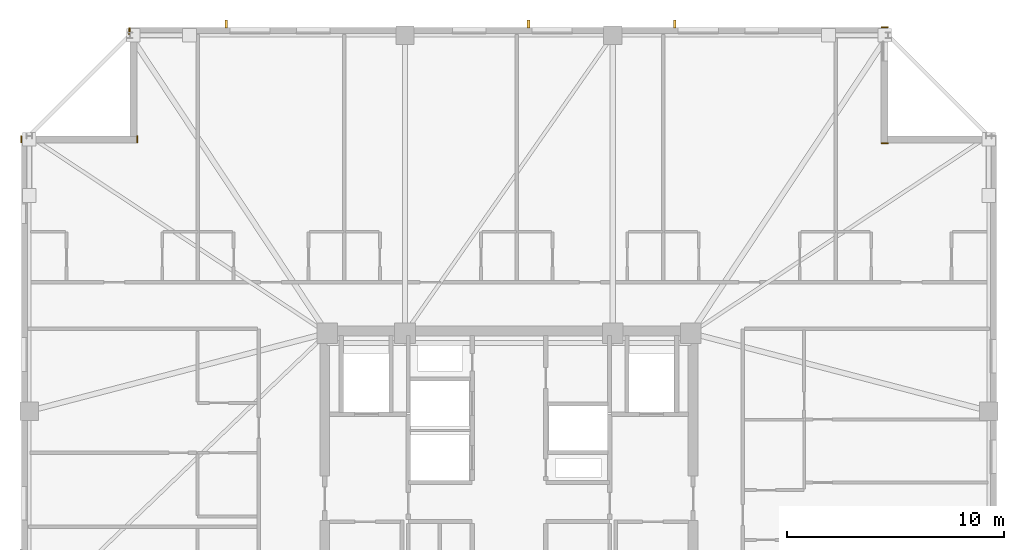
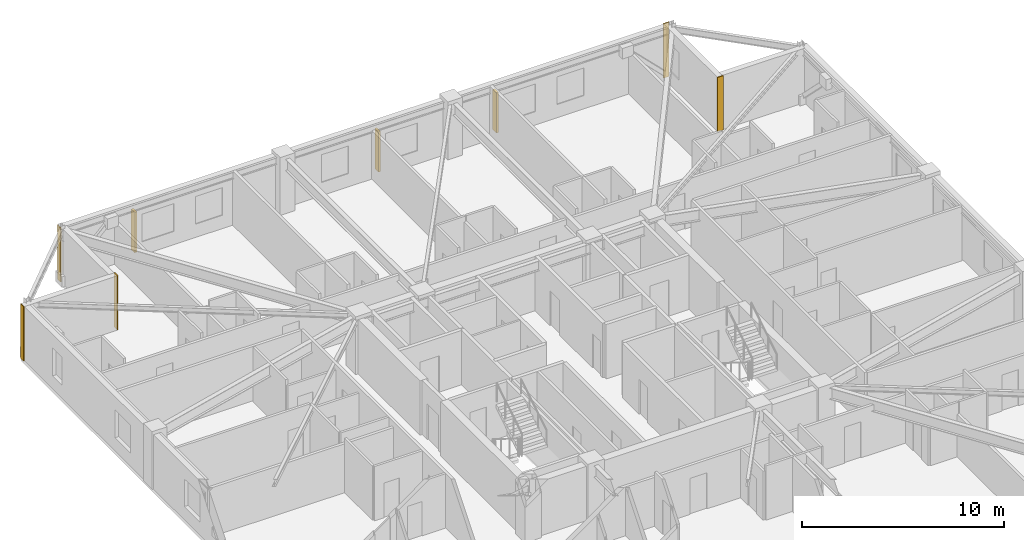
# One storey, part 16 of 17: 5 coverings, 3 shading devices.
"""IFC4 building model written with IfcOpenShell, lengths in metres."""

from ifc_helpers import new_model, si_unit, direction, frame, frame_2d, origin, origin_2d, place, context, subcontext, project, spatial, rectangle, extrude, material, layer, layer_set, type_object, element, save


model = new_model("IFC4")

# Units and contexts
model_context = context("Model", 3, precision=1e-05, world=origin(), true_north=direction((0.0, 1.0)))
body_context = subcontext(model_context, "Body", "Model", "MODEL_VIEW")
ifc_project = project(units=[si_unit("LENGTHUNIT", "METRE"), si_unit("AREAUNIT", "SQUARE_METRE"), si_unit("VOLUMEUNIT", "CUBIC_METRE"), si_unit("PLANEANGLEUNIT", "RADIAN"), si_unit("MASSUNIT", "GRAM", prefix="KILO")], contexts=[model_context])

# Site, building, storey
site_placement = place(None, origin())
site = spatial("IfcSite", under=ifc_project, at=site_placement, CompositionType="ELEMENT")
building_placement = place(site_placement, origin())
building = spatial("IfcBuilding", under=site, at=building_placement, Name="Cairnveth Concourse Tower", CompositionType="ELEMENT")
storey_placement = place(building_placement, frame((0.0, 0.0, 251.5)))
storey = spatial("IfcBuildingStorey", under=building, at=storey_placement, Name="L69", CompositionType="ELEMENT", Elevation=251.5)

# Coverings
ifc_material_1 = material(Name="Dressed Melbourne Bluestone Cladding", Category="masonry")
ifc_layer = layer(ifc_material_1, 0.050048828125)
ifc_layer_set = layer_set([ifc_layer], Name="Dressed Melbourne Bluestone Cladding")
covering_type = type_object("IfcCoveringType", Name="DRESSED BLUESTONE PLINTH CLADDING 50", PredefinedType="CLADDING", material=ifc_layer_set)
for number, where, z_axis, x_axis, name in (
    (1, (29.47998046875, 56.179931640625, 0.0), (0.0, 0.0, 1.0), (0.0, 1.0, 0.0), "Melbourne Bluestone Corner Quoin L69-1040"),
    (2, (34.840087890625, 56.179931640625, 0.0), (0.0, 0.0, 1.0), (0.0, 1.0, 0.0), "Melbourne Bluestone Corner Quoin L69-1041"),
    (3, (34.47998046875, 61.179931640625, 0.0), (0.0, 0.0, 1.0), (0.0, 1.0, 0.0), "Melbourne Bluestone Corner Quoin L69-1042"),
    (4, (69.179931640625, 61.52001953125, 0.0), (0.0, 0.0, 1.0), (1.0, 0.0, 0.0), "Melbourne Bluestone Corner Quoin L69-1043"),
    (5, (69.179931640625, 56.159912109375, 0.0), (0.0, 0.0, 1.0), (1.0, 0.0, 0.0), "Melbourne Bluestone Corner Quoin L69-1044"),
):
    element("IfcCovering", number, at=place(storey_placement, frame(where, z_axis=z_axis, x_axis=x_axis)), inside=storey, type_object=covering_type, Name=name, PredefinedType="CLADDING", context=body_context, shape_type="SweptSolid", body=[
        extrude(rectangle(XDim=0.320068359375, YDim=0.050048828125, at=frame_2d((0.16015625, 0.0))), origin(), (0.0, 0.0, 1.0), 3.2900390625),
    ])

# Shading devices
ifc_material_2 = material(Name="Architectural Bronze Anodised Aluminium 6063-T6", Category="aluminium")
shading_device_type = type_object("IfcShadingDeviceType", Name="GOTHIC BRONZE VERTICAL LANCET FIN", PredefinedType="USERDEFINED", material=ifc_material_2)
for number, where, z_axis, x_axis, name in (
    (6, (38.95263671875, 61.675048828125, 0.030029296875), (0.0, 0.0, 1.0), (1.0, 0.0, 0.0), "Gothic Bronze Vertical Fin L69-3-1"),
    (7, (52.903564453125, 61.675048828125, 0.030029296875), (0.0, 0.0, 1.0), (1.0, 0.0, 0.0), "Gothic Bronze Vertical Fin L69-3-5"),
    (8, (59.654052734375, 61.675048828125, 0.030029296875), (0.0, 0.0, 1.0), (1.0, 0.0, 0.0), "Gothic Bronze Vertical Fin L69-3-7"),
):
    element("IfcShadingDevice", number, at=place(storey_placement, frame(where, z_axis=z_axis, x_axis=x_axis)), inside=storey, type_object=shading_device_type, Name=name, ObjectType="VERTICAL FIN", PredefinedType="USERDEFINED", context=body_context, shape_type="SweptSolid", body=[
        extrude(rectangle(XDim=0.1201171875, YDim=0.360107421875, at=origin_2d()), origin(), (0.0, 0.0, 1.0), 2.43798828125),
    ])

save(model, "model.ifc")
